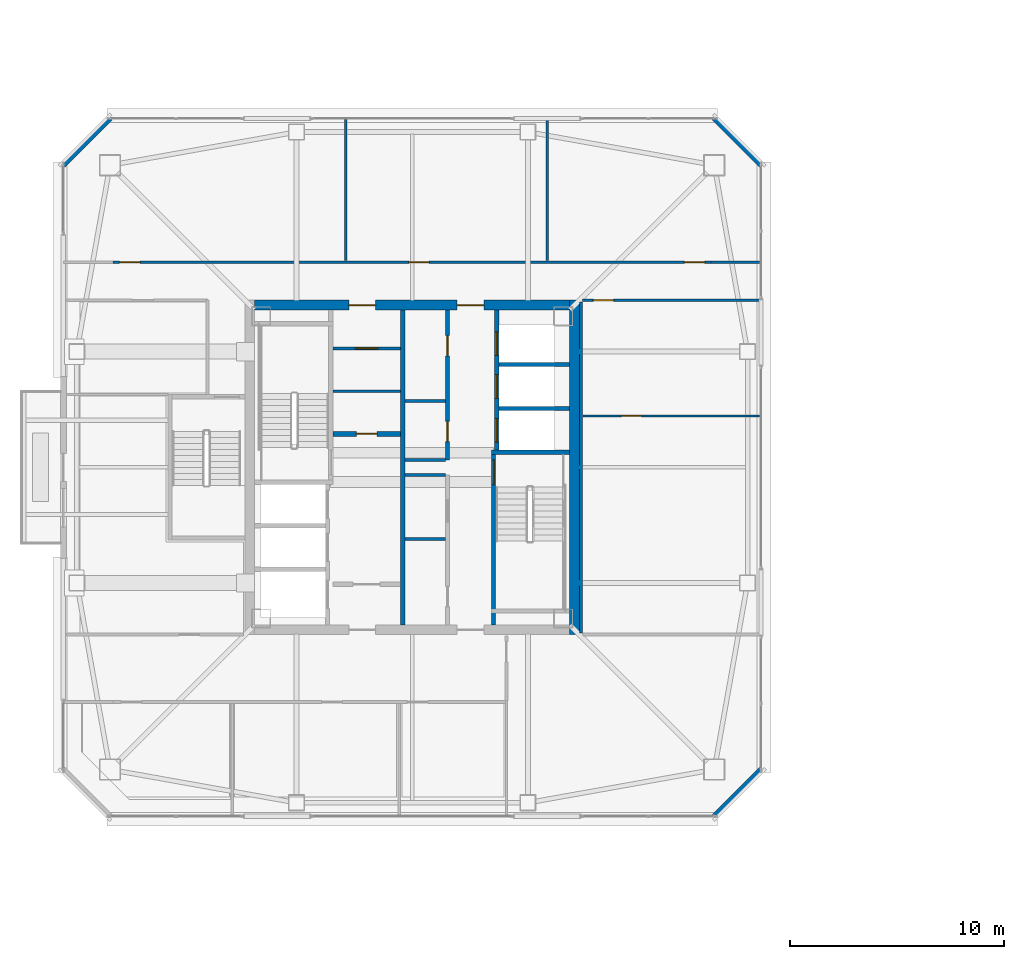
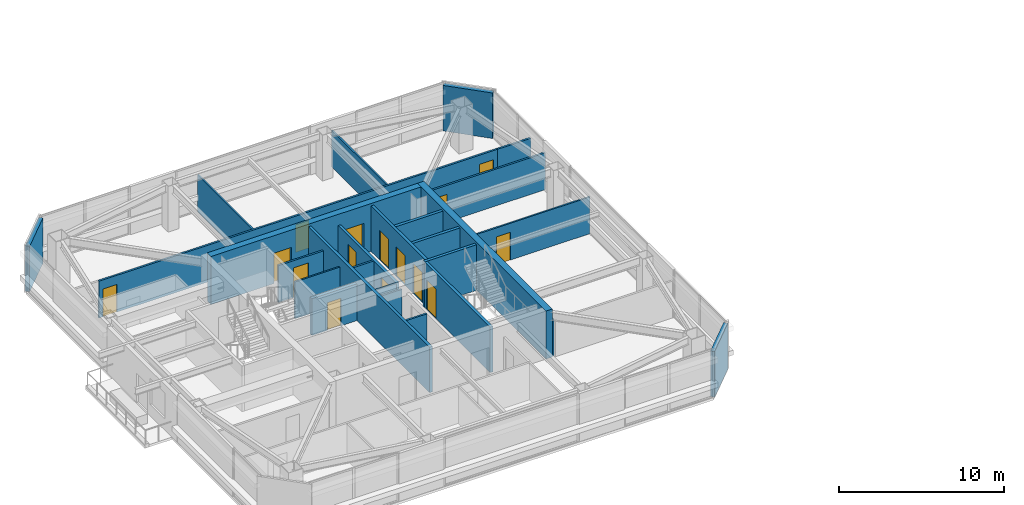
# One storey, part 30 of 39: 26 walls, 15 doors, 15 openings.
"""IFC4 building model written with IfcOpenShell, lengths in metres."""

from ifc_helpers import new_model, si_unit, direction, frame, frame_2d, origin, place, context, subcontext, project, spatial, rectangle, extrude, material, layer, layer_set, type_object, element, fill, save


model = new_model("IFC4")

# Units and contexts
model_context = context("Model", 3, precision=1e-05, world=origin(), true_north=direction((0.0, 1.0)))
body_context = subcontext(model_context, "Body", "Model", "MODEL_VIEW")
ifc_project = project(units=[si_unit("LENGTHUNIT", "METRE"), si_unit("AREAUNIT", "SQUARE_METRE"), si_unit("VOLUMEUNIT", "CUBIC_METRE"), si_unit("PLANEANGLEUNIT", "RADIAN"), si_unit("MASSUNIT", "GRAM", prefix="KILO")], contexts=[model_context])

# Site, building, storey
site_placement = place(None, origin())
site = spatial("IfcSite", under=ifc_project, at=site_placement, CompositionType="ELEMENT")
building_placement = place(site_placement, origin())
building = spatial("IfcBuilding", under=site, at=building_placement, Name="Tashvorn Skyway Center", CompositionType="ELEMENT")
storey_placement = place(building_placement, frame((0.0, 0.0, 214.85009765625)))
storey = spatial("IfcBuildingStorey", under=building, at=storey_placement, Name="L58", CompositionType="ELEMENT", Elevation=214.85009765625)

# Wall
ifc_material_1 = material(Name="Concrete C50/60", Category="concrete")
ifc_layer_1 = layer(ifc_material_1, 0.449951171875)
ifc_layer_set_1 = layer_set([ifc_layer_1], Name="Concrete C50/60")
wall_type_1 = type_object("IfcWallType", Name="WALL-CORE-450", PredefinedType="SHEAR", material=ifc_layer_set_1)
wall_1_placement = place(storey_placement, frame((49.574951171875, 39.800048828125, 0.0), z_axis=(0.0, 0.0, 1.0), x_axis=(0.0, -1.0, 0.0)))
element("IfcWall", 1, at=wall_1_placement, inside=storey, type_object=wall_type_1, Name="Tower 1 L58 East Core Shear Wall", PredefinedType="SHEAR", context=body_context, shape_type="SweptSolid", body=[
    extrude(rectangle(XDim=15.60009765625, YDim=0.449951171875, at=frame_2d((7.800048828125, 0.0))), origin(), (0.0, 0.0, 1.0), 3.5498046875),
])

# Wall, openings, doors
wall_2_placement = place(storey_placement, frame((34.64990234375, 39.574951171875, 0.0), z_axis=(0.0, 0.0, 1.0), x_axis=(1.0, 0.0, 0.0)))
wall_2 = element("IfcWall", 2, at=wall_2_placement, inside=storey, type_object=wall_type_1, Name="Tower 1 L58 North Core Shear Wall", PredefinedType="SHEAR", context=body_context, shape_type="SweptSolid", body=[
    extrude(rectangle(XDim=14.7001953125, YDim=0.449951171875, at=frame_2d((7.35009765625, 0.0))), origin(), (0.0, 0.0, 1.0), 3.5498046875),
])
opening_1_placement = place(wall_2_placement, frame((4.39990234375, 0.0, 0.0)))
opening_1 = element("IfcOpeningElement", 3, at=opening_1_placement, cuts=wall_2, Name="Opening D-FFL-1250", PredefinedType="OPENING", context=body_context, shape_type="SweptSolid", body=[
    extrude(rectangle(XDim=1.25, YDim=2.25, at=frame_2d((0.625, 1.125))), frame((0.0, 0.23486328125, 0.0), z_axis=(0.0, -1.0, 0.0), x_axis=(1.0, 0.0, 0.0)), (0.0, 0.0, 1.0), 0.469970703125),
])
opening_2_placement = place(wall_2_placement, frame((9.449951171875, 0.0, 0.0)))
opening_2 = element("IfcOpeningElement", 4, at=opening_2_placement, cuts=wall_2, Name="Opening D-FFL-1250", PredefinedType="OPENING", context=body_context, shape_type="SweptSolid", body=[
    extrude(rectangle(XDim=1.25, YDim=2.25, at=frame_2d((0.625, 1.125))), frame((0.0, 0.23486328125, 0.0), z_axis=(0.0, -1.0, 0.0), x_axis=(1.0, 0.0, 0.0)), (0.0, 0.0, 1.0), 0.469970703125),
])
ifc_material_2 = material(Name="Hollow galvanized steel fire door assembly", Category="steel")
door_type_1 = type_object("IfcDoorType", Name="DOOR-FFL-1250", OperationType="NOTDEFINED", PredefinedType="DOOR", material=ifc_material_2)
door_1_placement = place(opening_1_placement, origin())
door_1 = element("IfcDoor", 5, at=door_1_placement, inside=storey, type_object=door_type_1, Name="Tower 1 L58 Core North Service Lobby Door", OperationType="SINGLE_SWING_LEFT", OverallHeight=2.25, OverallWidth=1.25, PredefinedType="DOOR", context=body_context, shape_type="SweptSolid", body=[
    extrude(rectangle(XDim=1.25, YDim=2.25, at=frame_2d((0.625, 1.125))), frame((0.0, 0.02490234375, 0.0), z_axis=(0.0, -1.0, 0.0), x_axis=(1.0, 0.0, 0.0)), (0.0, 0.0, 1.0), 0.050048828125),
])
fill(opening_1, door_1)
door_2_placement = place(opening_2_placement, origin())
door_2 = element("IfcDoor", 6, at=door_2_placement, inside=storey, type_object=door_type_1, Name="Tower 1 L58 Core North Lift Lobby Door", OperationType="SINGLE_SWING_RIGHT", OverallHeight=2.25, OverallWidth=1.25, PredefinedType="DOOR", context=body_context, shape_type="SweptSolid", body=[
    extrude(rectangle(XDim=1.25, YDim=2.25, at=frame_2d((0.625, 1.125))), frame((0.0, 0.02490234375, 0.0), z_axis=(0.0, -1.0, 0.0), x_axis=(1.0, 0.0, 0.0)), (0.0, 0.0, 1.0), 0.050048828125),
])
fill(opening_2, door_2)

# Walls
ifc_material_3 = material(Name="Precast concrete C40/50", Category="concrete")
ifc_layer_2 = layer(ifc_material_3, 0.280029296875)
ifc_layer_set_2 = layer_set([ifc_layer_2], Name="Precast concrete C40/50")
wall_type_2 = type_object("IfcWallType", Name="WALL-EXT-280", PredefinedType="SOLIDWALL", material=ifc_layer_set_2)
for number, where, z_axis, x_axis, name in (
    (7, (25.699951171875, 46.10009765625, 0.0), (0.0, 0.0, 1.0), (0.707106781187, 0.707106781187, 0.0), "Tower 1 L58 NW Precast Chamfer Wall"),
    (8, (56.10009765625, 48.300048828125, 0.0), (0.0, 0.0, 1.0), (0.707106781187, -0.707106781187, 0.0), "Tower 1 L58 NE Precast Chamfer Wall"),
    (9, (58.300048828125, 17.89990234375, 0.0), (0.0, 0.0, 1.0), (-0.707106781187, -0.707106781187, 0.0), "Tower 1 L58 SE Precast Chamfer Wall"),
):
    element("IfcWall", number, at=place(storey_placement, frame(where, z_axis=z_axis, x_axis=x_axis)), inside=storey, type_object=wall_type_2, Name=name, PredefinedType="SOLIDWALL", context=body_context, shape_type="SweptSolid", body=[
        extrude(rectangle(XDim=3.111083984375, YDim=0.280029296875, at=frame_2d((1.5556640625, 0.0))), origin(), (0.0, 0.0, 1.0), 3.369873046875),
    ])

# Wall, opening, door
ifc_material_4 = material(Name="Concrete C40/50", Category="concrete")
ifc_layer_3 = layer(ifc_material_4, 0.219970703125)
ifc_layer_set_3 = layer_set([ifc_layer_3], Name="Concrete C40/50")
wall_type_3 = type_object("IfcWallType", Name="WALL-FFL-220", PredefinedType="SOLIDWALL", material=ifc_layer_set_3)
wall_3_placement = place(storey_placement, frame((38.300048828125, 33.56005859375, 0.0), z_axis=(0.0, 0.0, 1.0), x_axis=(1.0, 0.0, 0.0)))
wall_3 = element("IfcWall", 10, at=wall_3_placement, inside=storey, type_object=wall_type_3, Name="Tower 1 L58 Firefighting Lobby North Wall", PredefinedType="SOLIDWALL", context=body_context, shape_type="SweptSolid", body=[
    extrude(rectangle(XDim=3.14990234375, YDim=0.219970703125, at=frame_2d((1.574951171875, 0.0))), origin(), (0.0, 0.0, 1.0), 2.722900390625),
])
opening_3_placement = place(wall_3_placement, frame((1.10009765625, 0.0, 0.0)))
opening_3 = element("IfcOpeningElement", 11, at=opening_3_placement, cuts=wall_3, Name="Opening D-RT-950", PredefinedType="OPENING", context=body_context, shape_type="SweptSolid", body=[
    extrude(rectangle(XDim=0.949951171875, YDim=2.050048828125, at=frame_2d((0.47509765625, 1.02490234375))), frame((0.0, 0.119873046875, 0.0), z_axis=(0.0, -1.0, 0.0), x_axis=(1.0, 0.0, 0.0)), (0.0, 0.0, 1.0), 0.239990234375),
])
door_type_2 = type_object("IfcDoorType", Name="DOOR-RATED-950", OperationType="NOTDEFINED", PredefinedType="DOOR", material=ifc_material_2)
door_3_placement = place(opening_3_placement, origin())
door_3 = element("IfcDoor", 12, at=door_3_placement, inside=storey, type_object=door_type_2, Name="Tower 1 L58 Core Linen Store Door", OperationType="SINGLE_SWING_LEFT", OverallHeight=2.050048828125, OverallWidth=0.949951171875, PredefinedType="DOOR", context=body_context, shape_type="SweptSolid", body=[
    extrude(rectangle(XDim=0.949951171875, YDim=2.050048828125, at=frame_2d((0.47509765625, 1.02490234375))), frame((0.0, 0.02490234375, 0.0), z_axis=(0.0, -1.0, 0.0), x_axis=(1.0, 0.0, 0.0)), (0.0, 0.0, 1.0), 0.050048828125),
])
fill(opening_3, door_3)

# Walls
ifc_material_5 = material(Name="Gypsum board on cold-formed steel stud framing", Category="steel")
ifc_layer_4 = layer(ifc_material_5, 0.110107421875)
ifc_layer_set_4 = layer_set([ifc_layer_4], Name="Gypsum board on cold-formed steel stud framing")
wall_type_4 = type_object("IfcWallType", Name="WALL-PART-110", PredefinedType="PARTITIONING", material=ifc_layer_set_4)
for number, where, z_axis, x_axis, name in (
    (13, (38.89990234375, 41.64990234375, 0.0), (0.0, 0.0, 1.0), (0.0, 1.0, 0.0), "Tower 1 L58 North Suite Partition 1"),
    (14, (48.300048828125, 41.64990234375, 0.0), (0.0, 0.0, 1.0), (0.0, 1.0, 0.0), "Tower 1 L58 North Suite Partition 2"),
):
    element("IfcWall", number, at=place(storey_placement, frame(where, z_axis=z_axis, x_axis=x_axis)), inside=storey, type_object=wall_type_4, Name=name, PredefinedType="PARTITIONING", context=body_context, shape_type="SweptSolid", body=[
        extrude(rectangle(XDim=6.630126953125, YDim=0.110107421875, at=frame_2d((3.31494140625, 0.0))), origin(), (0.0, 0.0, 1.0), 2.722900390625),
    ])

# Wall, opening, door
wall_4_placement = place(storey_placement, frame((49.9599609375, 34.39990234375, 0.0), z_axis=(0.0, 0.0, 1.0), x_axis=(1.0, 0.0, 0.0)))
wall_4 = element("IfcWall", 15, at=wall_4_placement, inside=storey, type_object=wall_type_4, Name="Tower 1 L58 East Mid Partition", PredefinedType="PARTITIONING", context=body_context, shape_type="SweptSolid", body=[
    extrude(rectangle(XDim=8.320068359375, YDim=0.110107421875, at=frame_2d((4.16015625, 0.0))), origin(), (0.0, 0.0, 1.0), 2.722900390625),
])
opening_4_placement = place(wall_4_placement, frame((1.800048828125, 0.0, 0.0)))
opening_4 = element("IfcOpeningElement", 16, at=opening_4_placement, cuts=wall_4, Name="Opening D-INT-950", PredefinedType="OPENING", context=body_context, shape_type="SweptSolid", body=[
    extrude(rectangle(XDim=0.949951171875, YDim=2.050048828125, at=frame_2d((0.47509765625, 1.02490234375))), frame((0.0, 0.06494140625, 0.0), z_axis=(0.0, -1.0, 0.0), x_axis=(1.0, 0.0, 0.0)), (0.0, 0.0, 1.0), 0.130126953125),
])
ifc_material_6 = material(Name="Solid-core architectural oak veneer door")
door_type_3 = type_object("IfcDoorType", Name="DOOR-INT-950", OperationType="NOTDEFINED", PredefinedType="DOOR", material=ifc_material_6)
door_4_placement = place(opening_4_placement, origin())
door_4 = element("IfcDoor", 17, at=door_4_placement, inside=storey, type_object=door_type_3, Name="Tower 1 L58 Boardroom Door", OperationType="SINGLE_SWING_LEFT", OverallHeight=2.050048828125, OverallWidth=0.949951171875, PredefinedType="DOOR", context=body_context, shape_type="SweptSolid", body=[
    extrude(rectangle(XDim=0.949951171875, YDim=2.050048828125, at=frame_2d((0.47509765625, 1.02490234375))), frame((0.0, 0.02490234375, 0.0), z_axis=(0.0, -1.0, 0.0), x_axis=(1.0, 0.0, 0.0)), (0.0, 0.0, 1.0), 0.050048828125),
])
fill(opening_4, door_4)

# Wall, openings, doors
ifc_layer_5 = layer(ifc_material_5, 0.135009765625)
ifc_layer_set_5 = layer_set([ifc_layer_5], Name="Gypsum board on cold-formed steel stud framing")
wall_type_5 = type_object("IfcWallType", Name="WALL-PART-135", PredefinedType="PARTITIONING", material=ifc_layer_set_5)
wall_5_placement = place(storey_placement, frame((28.050048828125, 41.570068359375, 0.0), z_axis=(0.0, 0.0, 1.0), x_axis=(1.0, 0.0, 0.0)))
wall_5 = element("IfcWall", 18, at=wall_5_placement, inside=storey, type_object=wall_type_5, Name="Tower 1 L58 North Suite Wall", PredefinedType="PARTITIONING", context=body_context, shape_type="SweptSolid", body=[
    extrude(rectangle(XDim=27.89990234375, YDim=0.135009765625, at=frame_2d((13.949951171875, 0.0))), origin(), (0.0, 0.0, 1.0), 2.722900390625),
])
opening_5_placement = place(wall_5_placement, frame((0.300048828125, 0.0, 0.0)))
opening_5 = element("IfcOpeningElement", 19, at=opening_5_placement, cuts=wall_5, Name="Opening D-INT-950", PredefinedType="OPENING", context=body_context, shape_type="SweptSolid", body=[
    extrude(rectangle(XDim=0.949951171875, YDim=2.050048828125, at=frame_2d((0.47509765625, 1.02490234375))), frame((0.0, 0.077392578125, 0.0), z_axis=(0.0, -1.0, 0.0), x_axis=(1.0, 0.0, 0.0)), (0.0, 0.0, 1.0), 0.155029296875),
])
opening_6_placement = place(wall_5_placement, frame((13.793212890625, 0.0, 0.0)))
opening_6 = element("IfcOpeningElement", 20, at=opening_6_placement, cuts=wall_5, Name="Opening D-INT-950", PredefinedType="OPENING", context=body_context, shape_type="SweptSolid", body=[
    extrude(rectangle(XDim=0.949951171875, YDim=2.050048828125, at=frame_2d((0.47509765625, 1.02490234375))), frame((0.0, 0.077392578125, 0.0), z_axis=(0.0, -1.0, 0.0), x_axis=(1.0, 0.0, 0.0)), (0.0, 0.0, 1.0), 0.155029296875),
])
opening_7_placement = place(wall_5_placement, frame((26.64990234375, 0.0, 0.0)))
opening_7 = element("IfcOpeningElement", 21, at=opening_7_placement, cuts=wall_5, Name="Opening D-INT-950", PredefinedType="OPENING", context=body_context, shape_type="SweptSolid", body=[
    extrude(rectangle(XDim=0.949951171875, YDim=2.050048828125, at=frame_2d((0.47509765625, 1.02490234375))), frame((0.0, 0.077392578125, 0.0), z_axis=(0.0, -1.0, 0.0), x_axis=(1.0, 0.0, 0.0)), (0.0, 0.0, 1.0), 0.155029296875),
])
door_5_placement = place(opening_5_placement, origin())
door_5 = element("IfcDoor", 22, at=door_5_placement, inside=storey, type_object=door_type_3, Name="Tower 1 L58 Operations Control Room Door", OperationType="SINGLE_SWING_LEFT", OverallHeight=2.050048828125, OverallWidth=0.949951171875, PredefinedType="DOOR", context=body_context, shape_type="SweptSolid", body=[
    extrude(rectangle(XDim=0.949951171875, YDim=2.050048828125, at=frame_2d((0.47509765625, 1.02490234375))), frame((0.0, 0.02490234375, 0.0), z_axis=(0.0, -1.0, 0.0), x_axis=(1.0, 0.0, 0.0)), (0.0, 0.0, 1.0), 0.050048828125),
])
fill(opening_5, door_5)
door_6_placement = place(opening_6_placement, origin())
door_6 = element("IfcDoor", 23, at=door_6_placement, inside=storey, type_object=door_type_3, Name="Tower 1 L58 Operations Control Room Door", OperationType="SINGLE_SWING_RIGHT", OverallHeight=2.050048828125, OverallWidth=0.949951171875, PredefinedType="DOOR", context=body_context, shape_type="SweptSolid", body=[
    extrude(rectangle(XDim=0.949951171875, YDim=2.050048828125, at=frame_2d((0.47509765625, 1.02490234375))), frame((0.0, 0.02490234375, 0.0), z_axis=(0.0, -1.0, 0.0), x_axis=(1.0, 0.0, 0.0)), (0.0, 0.0, 1.0), 0.050048828125),
])
fill(opening_6, door_6)
door_7_placement = place(opening_7_placement, origin())
door_7 = element("IfcDoor", 24, at=door_7_placement, inside=storey, type_object=door_type_3, Name="Tower 1 L58 Corporate Office Door", OperationType="SINGLE_SWING_LEFT", OverallHeight=2.050048828125, OverallWidth=0.949951171875, PredefinedType="DOOR", context=body_context, shape_type="SweptSolid", body=[
    extrude(rectangle(XDim=0.949951171875, YDim=2.050048828125, at=frame_2d((0.47509765625, 1.02490234375))), frame((0.0, 0.02490234375, 0.0), z_axis=(0.0, -1.0, 0.0), x_axis=(1.0, 0.0, 0.0)), (0.0, 0.0, 1.0), 0.050048828125),
])
fill(opening_7, door_7)

# Walls
wall_6_placement = place(storey_placement, frame((55.949951171875, 41.570068359375, 0.0), z_axis=(0.0, 0.0, 1.0), x_axis=(1.0, 0.0, 0.0)))
element("IfcWall", 25, at=wall_6_placement, inside=storey, type_object=wall_type_5, Name="Tower 1 L58 North-East Suite South Wall", PredefinedType="PARTITIONING", context=body_context, shape_type="SweptSolid", body=[
    extrude(rectangle(XDim=2.330078125, YDim=0.135009765625, at=frame_2d((1.1650390625, 0.0))), origin(), (0.0, 0.0, 1.0), 2.722900390625),
])
wall_7_placement = place(storey_placement, frame((49.8798828125, 39.719970703125, 0.0), z_axis=(0.0, 0.0, 1.0), x_axis=(0.0, -1.0, 0.0)))
element("IfcWall", 26, at=wall_7_placement, inside=storey, type_object=wall_type_5, Name="Tower 1 L58 East Inner Suite Wall", PredefinedType="PARTITIONING", context=body_context, shape_type="SweptSolid", body=[
    extrude(rectangle(XDim=15.43994140625, YDim=0.135009765625, at=frame_2d((7.719970703125, 0.0))), origin(), (0.0, 0.0, 1.0), 2.722900390625),
])

# Wall, opening, door
wall_8_placement = place(storey_placement, frame((58.280029296875, 39.800048828125, 0.0), z_axis=(0.0, 0.0, 1.0), x_axis=(-1.0, 0.0, 0.0)))
wall_8 = element("IfcWall", 27, at=wall_8_placement, inside=storey, type_object=wall_type_5, Name="Tower 1 L58 East Suite North Wall", PredefinedType="PARTITIONING", context=body_context, shape_type="SweptSolid", body=[
    extrude(rectangle(XDim=8.320068359375, YDim=0.135009765625, at=frame_2d((4.16015625, 0.0))), origin(), (0.0, 0.0, 1.0), 2.722900390625),
])
opening_8_placement = place(wall_8_placement, frame((6.8798828125, 0.0, 0.0)))
opening_8 = element("IfcOpeningElement", 28, at=opening_8_placement, cuts=wall_8, Name="Opening D-INT-950", PredefinedType="OPENING", context=body_context, shape_type="SweptSolid", body=[
    extrude(rectangle(XDim=0.949951171875, YDim=2.050048828125, at=frame_2d((0.47509765625, 1.02490234375))), frame((0.0, 0.077392578125, 0.0), z_axis=(0.0, -1.0, 0.0), x_axis=(1.0, 0.0, 0.0)), (0.0, 0.0, 1.0), 0.155029296875),
])
door_8_placement = place(opening_8_placement, origin())
door_8 = element("IfcDoor", 29, at=door_8_placement, inside=storey, type_object=door_type_3, Name="Tower 1 L58 Wellness Clinic Door", OperationType="SINGLE_SWING_RIGHT", OverallHeight=2.050048828125, OverallWidth=0.949951171875, PredefinedType="DOOR", context=body_context, shape_type="SweptSolid", body=[
    extrude(rectangle(XDim=0.949951171875, YDim=2.050048828125, at=frame_2d((0.47509765625, 1.02490234375))), frame((0.0, 0.02490234375, 0.0), z_axis=(0.0, -1.0, 0.0), x_axis=(1.0, 0.0, 0.0)), (0.0, 0.0, 1.0), 0.050048828125),
])
fill(opening_8, door_8)

# Wall
ifc_layer_6 = layer(ifc_material_5, 0.110107421875)
ifc_layer_set_6 = layer_set([ifc_layer_6], Name="Gypsum board on cold-formed steel stud framing")
wall_type_6 = type_object("IfcWallType", Name="WALL-RATED-110", PredefinedType="PARTITIONING", material=ifc_layer_set_6)
wall_9_placement = place(storey_placement, frame((38.300048828125, 35.550048828125, 0.0), z_axis=(0.0, 0.0, 1.0), x_axis=(1.0, 0.0, 0.0)))
element("IfcWall", 30, at=wall_9_placement, inside=storey, type_object=wall_type_6, Name="Tower 1 L58 Core Transverse Wall", PredefinedType="PARTITIONING", context=body_context, shape_type="SweptSolid", body=[
    extrude(rectangle(XDim=3.14990234375, YDim=0.110107421875, at=frame_2d((1.574951171875, 0.0))), origin(), (0.0, 0.0, 1.0), 2.722900390625),
])

# Wall, opening, door
ifc_layer_7 = layer(ifc_material_5, 0.135009765625)
ifc_layer_set_7 = layer_set([ifc_layer_7], Name="Gypsum board on cold-formed steel stud framing")
wall_type_7 = type_object("IfcWallType", Name="WALL-RATED-135", PredefinedType="PARTITIONING", material=ifc_layer_set_7)
wall_10_placement = place(storey_placement, frame((38.300048828125, 37.550048828125, 0.0), z_axis=(0.0, 0.0, 1.0), x_axis=(1.0, 0.0, 0.0)))
wall_10 = element("IfcWall", 31, at=wall_10_placement, inside=storey, type_object=wall_type_7, Name="Tower 1 L58 Core Service Lobby Wall", PredefinedType="PARTITIONING", context=body_context, shape_type="SweptSolid", body=[
    extrude(rectangle(XDim=3.14990234375, YDim=0.135009765625, at=frame_2d((1.574951171875, 0.0))), origin(), (0.0, 0.0, 1.0), 2.722900390625),
])
opening_9_placement = place(wall_10_placement, frame((1.050048828125, 0.0, 0.0)))
opening_9 = element("IfcOpeningElement", 32, at=opening_9_placement, cuts=wall_10, Name="Opening D-RT-1050", PredefinedType="OPENING", context=body_context, shape_type="SweptSolid", body=[
    extrude(rectangle(XDim=1.050048828125, YDim=2.199951171875, at=frame_2d((0.52490234375, 1.10009765625))), frame((0.0, 0.077392578125, 0.0), z_axis=(0.0, -1.0, 0.0), x_axis=(1.0, 0.0, 0.0)), (0.0, 0.0, 1.0), 0.155029296875),
])
door_type_4 = type_object("IfcDoorType", Name="DOOR-RATED-1050", OperationType="NOTDEFINED", PredefinedType="DOOR", material=ifc_material_2)
door_9_placement = place(opening_9_placement, origin())
door_9 = element("IfcDoor", 33, at=door_9_placement, inside=storey, type_object=door_type_4, Name="Tower 1 L58 Core Accessible WC Door", OperationType="SINGLE_SWING_RIGHT", OverallHeight=2.199951171875, OverallWidth=1.050048828125, PredefinedType="DOOR", context=body_context, shape_type="SweptSolid", body=[
    extrude(rectangle(XDim=1.050048828125, YDim=2.199951171875, at=frame_2d((0.52490234375, 1.10009765625))), frame((0.0, 0.02490234375, 0.0), z_axis=(0.0, -1.0, 0.0), x_axis=(1.0, 0.0, 0.0)), (0.0, 0.0, 1.0), 0.050048828125),
])
fill(opening_9, door_9)

# Walls
for number, where, z_axis, x_axis, name in (
    (34, (41.669921875, 31.64990234375, 0.0), (0.0, 0.0, 1.0), (1.0, 0.0, 0.0), "Tower 1 L58 Core Room Partition"),
    (35, (41.669921875, 28.64990234375, 0.0), (0.0, 0.0, 1.0), (1.0, 0.0, 0.0), "Tower 1 L58 Freed Core Partition"),
    (36, (41.669921875, 32.35009765625, 0.0), (0.0, 0.0, 1.0), (1.0, 0.0, 0.0), "Tower 1 L58 Core Room Partition"),
    (37, (41.669921875, 35.10009765625, 0.0), (0.0, 0.0, 1.0), (1.0, 0.0, 0.0), "Tower 1 L58 Freed Mid-Rise Partition"),
):
    element("IfcWall", number, at=place(storey_placement, frame(where, z_axis=z_axis, x_axis=x_axis)), inside=storey, type_object=wall_type_7, Name=name, PredefinedType="PARTITIONING", context=body_context, shape_type="SweptSolid", body=[
        extrude(rectangle(XDim=1.880126953125, YDim=0.135009765625, at=frame_2d((0.93994140625, 0.0))), origin(), (0.0, 0.0, 1.0), 2.722900390625),
    ])
ifc_layer_8 = layer(ifc_material_4, 0.199951171875)
ifc_layer_set_8 = layer_set([ifc_layer_8], Name="Concrete C40/50")
wall_type_8 = type_object("IfcWallType", Name="WALL-SHAFT-200", PredefinedType="SOLIDWALL", material=ifc_layer_set_8)
for number, where, z_axis, x_axis, name in (
    (38, (46.050048828125, 34.75, 0.0), (0.0, 0.0, 1.0), (1.0, 0.0, 0.0), "Tower 1 L58 High-Rise Shaft Divider"),
    (39, (46.050048828125, 36.800048828125, 0.0), (0.0, 0.0, 1.0), (1.0, 0.0, 0.0), "Tower 1 L58 High-Rise Shaft Divider"),
):
    element("IfcWall", number, at=place(storey_placement, frame(where, z_axis=z_axis, x_axis=x_axis)), inside=storey, type_object=wall_type_8, Name=name, PredefinedType="SOLIDWALL", context=body_context, shape_type="SweptSolid", body=[
        extrude(rectangle(XDim=3.300048828125, YDim=0.199951171875, at=frame_2d((1.64990234375, 0.0))), origin(), (0.0, 0.0, 1.0), 3.369873046875),
    ])

# Wall, openings, doors
wall_11_placement = place(storey_placement, frame((43.64990234375, 32.35009765625, 0.0), z_axis=(0.0, 0.0, 1.0), x_axis=(0.0, 1.0, 0.0)))
wall_11 = element("IfcWall", 40, at=wall_11_placement, inside=storey, type_object=wall_type_8, Name="Tower 1 L58 Mid-Rise Core Wall", PredefinedType="SOLIDWALL", context=body_context, shape_type="SweptSolid", body=[
    extrude(rectangle(XDim=7.0, YDim=0.199951171875, at=frame_2d((3.5, 0.0))), origin(), (0.0, 0.0, 1.0), 2.722900390625),
])
opening_10_placement = place(wall_11_placement, frame((0.85009765625, 0.0, 0.0)))
opening_10 = element("IfcOpeningElement", 41, at=opening_10_placement, cuts=wall_11, Name="Opening D-RT-950", PredefinedType="OPENING", context=body_context, shape_type="SweptSolid", body=[
    extrude(rectangle(XDim=0.949951171875, YDim=2.050048828125, at=frame_2d((0.47509765625, 1.02490234375))), frame((0.0, 0.10986328125, 0.0), z_axis=(0.0, -1.0, 0.0), x_axis=(1.0, 0.0, 0.0)), (0.0, 0.0, 1.0), 0.219970703125),
])
opening_11_placement = place(wall_11_placement, frame((4.85009765625, 0.0, 0.0)))
opening_11 = element("IfcOpeningElement", 42, at=opening_11_placement, cuts=wall_11, Name="Opening D-RT-950", PredefinedType="OPENING", context=body_context, shape_type="SweptSolid", body=[
    extrude(rectangle(XDim=0.949951171875, YDim=2.050048828125, at=frame_2d((0.47509765625, 1.02490234375))), frame((0.0, 0.10986328125, 0.0), z_axis=(0.0, -1.0, 0.0), x_axis=(1.0, 0.0, 0.0)), (0.0, 0.0, 1.0), 0.219970703125),
])
door_10_placement = place(opening_10_placement, origin())
door_10 = element("IfcDoor", 43, at=door_10_placement, inside=storey, type_object=door_type_2, Name="Tower 1 L58 Core IT Room Door", OperationType="SINGLE_SWING_RIGHT", OverallHeight=2.050048828125, OverallWidth=0.949951171875, PredefinedType="DOOR", context=body_context, shape_type="SweptSolid", body=[
    extrude(rectangle(XDim=0.949951171875, YDim=2.050048828125, at=frame_2d((0.47509765625, 1.02490234375))), frame((0.0, 0.02490234375, 0.0), z_axis=(0.0, -1.0, 0.0), x_axis=(1.0, 0.0, 0.0)), (0.0, 0.0, 1.0), 0.050048828125),
])
fill(opening_10, door_10)
door_11_placement = place(opening_11_placement, origin())
door_11 = element("IfcDoor", 44, at=door_11_placement, inside=storey, type_object=door_type_2, Name="Tower 1 L58 Core Catering Pantry Door", OperationType="SINGLE_SWING_LEFT", OverallHeight=2.050048828125, OverallWidth=0.949951171875, PredefinedType="DOOR", context=body_context, shape_type="SweptSolid", body=[
    extrude(rectangle(XDim=0.949951171875, YDim=2.050048828125, at=frame_2d((0.47509765625, 1.02490234375))), frame((0.0, 0.02490234375, 0.0), z_axis=(0.0, -1.0, 0.0), x_axis=(1.0, 0.0, 0.0)), (0.0, 0.0, 1.0), 0.050048828125),
])
fill(opening_11, door_11)

# Wall, opening, door
ifc_layer_9 = layer(ifc_material_4, 0.199951171875)
ifc_layer_set_9 = layer_set([ifc_layer_9], Name="Concrete C40/50")
wall_type_9 = type_object("IfcWallType", Name="WALL-STSHF-200", PredefinedType="SHEAR", material=ifc_layer_set_9)
wall_12_placement = place(storey_placement, frame((45.800048828125, 32.800048828125, 0.0), z_axis=(0.0, 0.0, 1.0), x_axis=(0.0, -1.0, 0.0)))
wall_12 = element("IfcWall", 45, at=wall_12_placement, inside=storey, type_object=wall_type_9, Name="Tower 1 L58 Stair 2 Enclosure Wall", PredefinedType="SHEAR", context=body_context, shape_type="SweptSolid", body=[
    extrude(rectangle(XDim=8.150146484375, YDim=0.199951171875, at=frame_2d((4.0751953125, 0.0))), origin(), (0.0, 0.0, 1.0), 3.369873046875),
])
opening_12_placement = place(wall_12_placement, frame((0.449951171875, 0.0, 0.0)))
opening_12 = element("IfcOpeningElement", 46, at=opening_12_placement, cuts=wall_12, Name="Opening D-ST-1150", PredefinedType="OPENING", context=body_context, shape_type="SweptSolid", body=[
    extrude(rectangle(XDim=1.14990234375, YDim=2.199951171875, at=frame_2d((0.574951171875, 1.10009765625))), frame((0.0, 0.10986328125, 0.0), z_axis=(0.0, -1.0, 0.0), x_axis=(1.0, 0.0, 0.0)), (0.0, 0.0, 1.0), 0.219970703125),
])
door_type_5 = type_object("IfcDoorType", Name="DOOR-STAIR-1150", OperationType="NOTDEFINED", PredefinedType="DOOR", material=ifc_material_2)
door_12_placement = place(opening_12_placement, origin())
door_12 = element("IfcDoor", 47, at=door_12_placement, inside=storey, type_object=door_type_5, Name="Tower 1 L58 Exit Stair 2 Door", OperationType="SINGLE_SWING_RIGHT", OverallHeight=2.199951171875, OverallWidth=1.14990234375, PredefinedType="DOOR", context=body_context, shape_type="SweptSolid", body=[
    extrude(rectangle(XDim=1.14990234375, YDim=2.199951171875, at=frame_2d((0.574951171875, 1.10009765625))), frame((0.0, 0.02490234375, 0.0), z_axis=(0.0, -1.0, 0.0), x_axis=(1.0, 0.0, 0.0)), (0.0, 0.0, 1.0), 0.050048828125),
])
fill(opening_12, door_12)

# Walls
wall_13_placement = place(storey_placement, frame((45.699951171875, 32.699951171875, 0.0), z_axis=(0.0, 0.0, 1.0), x_axis=(1.0, 0.0, 0.0)))
element("IfcWall", 48, at=wall_13_placement, inside=storey, type_object=wall_type_9, Name="Tower 1 L58 Stair 2 North Wall", PredefinedType="SHEAR", context=body_context, shape_type="SweptSolid", body=[
    extrude(rectangle(XDim=3.650146484375, YDim=0.199951171875, at=frame_2d((1.8251953125, 0.0))), origin(), (0.0, 0.0, 1.0), 3.369873046875),
])
wall_14_placement = place(storey_placement, frame((41.56005859375, 24.64990234375, 0.0), z_axis=(0.0, 0.0, 1.0), x_axis=(0.0, 1.0, 0.0)))
element("IfcWall", 49, at=wall_14_placement, inside=storey, type_object=wall_type_9, Name="Tower 1 L58 Firefighting Lobby East Smoke Barrier", PredefinedType="SHEAR", context=body_context, shape_type="SweptSolid", body=[
    extrude(rectangle(XDim=14.7001953125, YDim=0.199951171875, at=frame_2d((7.35009765625, 0.0))), origin(), (0.0, 0.0, 1.0), 3.369873046875),
])

# Wall, openings, doors
wall_15_placement = place(storey_placement, frame((45.949951171875, 39.35009765625, 0.0), z_axis=(0.0, 0.0, 1.0), x_axis=(0.0, -1.0, 0.0)))
wall_15 = element("IfcWall", 50, at=wall_15_placement, inside=storey, type_object=wall_type_9, Name="Tower 1 L58 High-Rise Lift Shaft Front Wall", PredefinedType="SHEAR", context=body_context, shape_type="SweptSolid", body=[
    extrude(rectangle(XDim=6.550048828125, YDim=0.199951171875, at=frame_2d((3.27490234375, 0.0))), origin(), (0.0, 0.0, 1.0), 3.369873046875),
])
opening_13_placement = place(wall_15_placement, frame((5.074951171875, 0.0, 0.0)))
opening_13 = element("IfcOpeningElement", 51, at=opening_13_placement, cuts=wall_15, Name="Opening LD-HR-T1-1-L58", PredefinedType="OPENING", context=body_context, shape_type="SweptSolid", body=[
    extrude(rectangle(XDim=1.10009765625, YDim=2.199951171875, at=frame_2d((0.550048828125, 1.10009765625))), frame((0.0, 0.10986328125, 0.0), z_axis=(0.0, -1.0, 0.0), x_axis=(1.0, 0.0, 0.0)), (0.0, 0.0, 1.0), 0.219970703125),
])
opening_14_placement = place(wall_15_placement, frame((3.02490234375, 0.0, 0.0)))
opening_14 = element("IfcOpeningElement", 52, at=opening_14_placement, cuts=wall_15, Name="Opening LD-HR-T1-2-L58", PredefinedType="OPENING", context=body_context, shape_type="SweptSolid", body=[
    extrude(rectangle(XDim=1.10009765625, YDim=2.199951171875, at=frame_2d((0.550048828125, 1.10009765625))), frame((0.0, 0.10986328125, 0.0), z_axis=(0.0, -1.0, 0.0), x_axis=(1.0, 0.0, 0.0)), (0.0, 0.0, 1.0), 0.219970703125),
])
opening_15_placement = place(wall_15_placement, frame((1.02490234375, 0.0, 0.0)))
opening_15 = element("IfcOpeningElement", 53, at=opening_15_placement, cuts=wall_15, Name="Opening LD-HR-T1-3-L58", PredefinedType="OPENING", context=body_context, shape_type="SweptSolid", body=[
    extrude(rectangle(XDim=1.10009765625, YDim=2.199951171875, at=frame_2d((0.550048828125, 1.10009765625))), frame((0.0, 0.10986328125, 0.0), z_axis=(0.0, -1.0, 0.0), x_axis=(1.0, 0.0, 0.0)), (0.0, 0.0, 1.0), 0.219970703125),
])
ifc_material_7 = material(Name="Stainless steel landing door", Category="steel")
door_type_6 = type_object("IfcDoorType", Name="DOOR-LIFT-1100", OperationType="SLIDING_TO_LEFT", PredefinedType="DOOR", material=ifc_material_7)
door_13_placement = place(opening_13_placement, origin())
door_13 = element("IfcDoor", 54, at=door_13_placement, inside=storey, type_object=door_type_6, Name="Lift HR-T1-1 L58 Landing Door", OperationType="SLIDING_TO_LEFT", OverallHeight=2.199951171875, OverallWidth=1.10009765625, PredefinedType="DOOR", context=body_context, shape_type="SweptSolid", body=[
    extrude(rectangle(XDim=1.10009765625, YDim=2.199951171875, at=frame_2d((0.550048828125, 1.10009765625))), frame((0.0, 0.02490234375, 0.0), z_axis=(0.0, -1.0, 0.0), x_axis=(1.0, 0.0, 0.0)), (0.0, 0.0, 1.0), 0.050048828125),
])
fill(opening_13, door_13)
door_14_placement = place(opening_14_placement, origin())
door_14 = element("IfcDoor", 55, at=door_14_placement, inside=storey, type_object=door_type_6, Name="Lift HR-T1-2 L58 Landing Door", OperationType="SLIDING_TO_LEFT", OverallHeight=2.199951171875, OverallWidth=1.10009765625, PredefinedType="DOOR", context=body_context, shape_type="SweptSolid", body=[
    extrude(rectangle(XDim=1.10009765625, YDim=2.199951171875, at=frame_2d((0.550048828125, 1.10009765625))), frame((0.0, 0.02490234375, 0.0), z_axis=(0.0, -1.0, 0.0), x_axis=(1.0, 0.0, 0.0)), (0.0, 0.0, 1.0), 0.050048828125),
])
fill(opening_14, door_14)
door_15_placement = place(opening_15_placement, origin())
door_15 = element("IfcDoor", 56, at=door_15_placement, inside=storey, type_object=door_type_6, Name="Lift HR-T1-3 L58 Landing Door", OperationType="SLIDING_TO_LEFT", OverallHeight=2.199951171875, OverallWidth=1.10009765625, PredefinedType="DOOR", context=body_context, shape_type="SweptSolid", body=[
    extrude(rectangle(XDim=1.10009765625, YDim=2.199951171875, at=frame_2d((0.550048828125, 1.10009765625))), frame((0.0, 0.02490234375, 0.0), z_axis=(0.0, -1.0, 0.0), x_axis=(1.0, 0.0, 0.0)), (0.0, 0.0, 1.0), 0.050048828125),
])
fill(opening_15, door_15)

save(model, "model.ifc")
